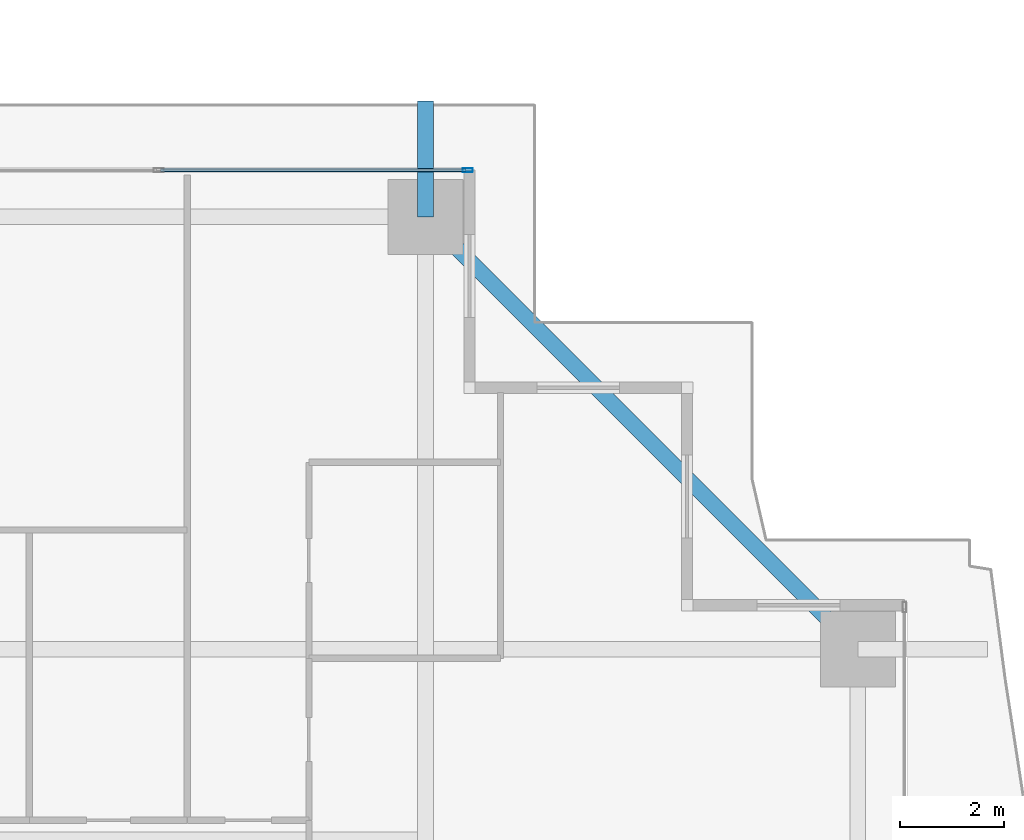
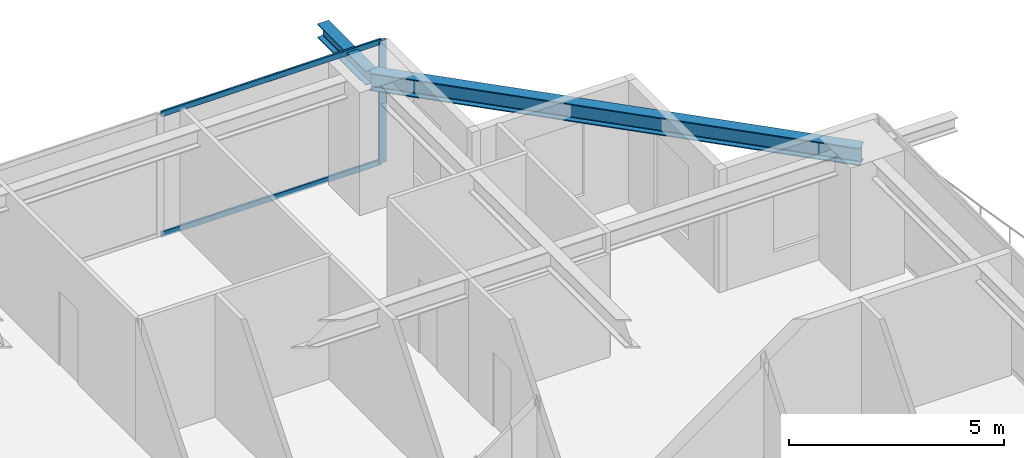
# One storey, part 25 of 39: 3 members, 2 beams, 1 element without a shape of its own.
"""IFC4 building model written with IfcOpenShell, lengths in metres."""

from ifc_helpers import new_model, si_unit, direction, frame, origin, origin_2d, place, context, subcontext, project, spatial, hollow_rectangle, i_section, extrude, source, transform, mapped, material, layer, layer_set, material_profile, profile_set, type_object, element, aggregate, save


model = new_model("IFC4")

# Units and contexts
model_context = context("Model", 3, precision=1e-05, world=origin(), true_north=direction((0.0, 1.0)))
body_context = subcontext(model_context, "Body", "Model", "MODEL_VIEW")
ifc_project = project(units=[si_unit("LENGTHUNIT", "METRE"), si_unit("AREAUNIT", "SQUARE_METRE"), si_unit("VOLUMEUNIT", "CUBIC_METRE"), si_unit("PLANEANGLEUNIT", "RADIAN"), si_unit("MASSUNIT", "GRAM", prefix="KILO")], contexts=[model_context])

# Site, building, storey
site_placement = place(None, origin())
site = spatial("IfcSite", under=ifc_project, at=site_placement, CompositionType="ELEMENT")
building_placement = place(site_placement, origin())
building = spatial("IfcBuilding", under=site, at=building_placement, Name="Serunith Strait Residences", CompositionType="ELEMENT")
storey_placement = place(building_placement, frame((0.0, 0.0, 64.199951171875)))
storey = spatial("IfcBuildingStorey", under=building, at=storey_placement, Name="L15", CompositionType="ELEMENT", Elevation=64.199951171875)

# Beams
ifc_material_1 = material(Name="Steel S355J2", Category="steel")
ifc_material_profile_1 = material_profile(ifc_material_1, i_section(OverallWidth=0.300048828125, OverallDepth=0.5, WebThickness=0.014404296875, FlangeThickness=0.028076171875, FilletRadius=0.027099609375, at=origin_2d()), Name="HEB 500")
ifc_profile_set_1 = profile_set([ifc_material_profile_1], Name="Steel S355J2")
beam_type_1 = type_object("IfcBeamType", Name="BM-HEB500", PredefinedType="BEAM", material=ifc_profile_set_1)
shared_shape_1 = source(origin(), body_context, "Body", "SweptSolid", [
    extrude(i_section(OverallWidth=0.300048828125, OverallDepth=0.5, WebThickness=0.014404296875, FlangeThickness=0.028076171875, FilletRadius=0.027099609375, at=origin_2d()), origin(), (0.0, 0.0, 1.0), 11.80859375),
])
beam_1_placement = place(storey_placement, frame((57.89990234375, 40.949951171875, 3.20703125), z_axis=(-0.707096443746, 0.707117118476, 0.0), x_axis=(-0.707117118476, -0.707096443746, 0.0)))
element("IfcBeam", 1, at=beam_1_placement, inside=storey, type_object=beam_type_1, Name="L15 Perimeter Ring Beam 08", PredefinedType="BEAM", context=body_context, shape_type="MappedRepresentation", body=[
    mapped(shared_shape_1, transform((0.0, 0.0, 0.0), scale=1.0)),
])
ifc_material_profile_2 = material_profile(ifc_material_1, i_section(OverallWidth=0.300048828125, OverallDepth=0.39990234375, WebThickness=0.013427734375, FlangeThickness=0.02392578125, FilletRadius=0.027099609375, at=origin_2d()), Name="HEB 400")
ifc_profile_set_2 = profile_set([ifc_material_profile_2], Name="Steel S355J2")
beam_type_2 = type_object("IfcBeamType", Name="BM-HEB400", PredefinedType="BEAM", material=ifc_profile_set_2)
shared_shape_2 = source(origin(), body_context, "Body", "SweptSolid", [
    extrude(i_section(OverallWidth=0.300048828125, OverallDepth=0.39990234375, WebThickness=0.013427734375, FlangeThickness=0.02392578125, FilletRadius=0.027099609375, at=origin_2d()), origin(), (0.0, 0.0, 1.0), 2.232666015625),
])
beam_2_placement = place(storey_placement, frame((49.550048828125, 49.300048828125, 3.257080078125), z_axis=(0.0, 1.0, 0.0), x_axis=(-1.0, 0.0, 0.0)))
element("IfcBeam", 2, at=beam_2_placement, inside=storey, type_object=beam_type_2, Name="L16 Cantilevered Balcony Rib TC-N4", PredefinedType="BEAM", context=body_context, shape_type="MappedRepresentation", body=[
    mapped(shared_shape_2, transform((0.0, 0.0, 0.0), scale=1.0)),
])

# Curtain wall, members
ifc_material_2 = material(Name="Pale-Champagne Anodised Aluminium", Category="aluminium")
ifc_layer = layer(ifc_material_2, 0.199951171875, Name="Pale-Champagne Anodised Aluminium")
ifc_layer_set = layer_set([ifc_layer], Name="Pale-Champagne Anodised Aluminium")
curtain_wall_type = type_object("IfcCurtainWallType", Name="CW-SYS1", PredefinedType="NOTDEFINED", material=ifc_layer_set)
curtain_wall_placement = place(storey_placement, origin())
curtain_wall = element("IfcCurtainWall", 3, at=curtain_wall_placement, inside=storey, type_object=curtain_wall_type, Name="L15 N Unitised Fritted Curtain Wall", PredefinedType="NOTDEFINED")
ifc_material_profile_3 = material_profile(ifc_material_2, hollow_rectangle(XDim=0.070068359375, YDim=0.199951171875, WallThickness=0.00390625, InnerFilletRadius=0.006103515625, OuterFilletRadius=0.010009765625, at=origin_2d()), Name="ALU 200x70x4")
ifc_profile_set_3 = profile_set([ifc_material_profile_3], Name="Pale-Champagne Anodised Aluminium")
member_type_1 = type_object("IfcMemberType", Name="CW-SYS1-MULL", PredefinedType="MULLION", material=ifc_profile_set_3)
shared_shape_3 = source(origin(), body_context, "Body", "SweptSolid", [
    extrude(hollow_rectangle(XDim=0.070068359375, YDim=0.199951171875, WallThickness=0.00390625, InnerFilletRadius=0.006103515625, OuterFilletRadius=0.010009765625, at=origin_2d()), origin(), (0.0, 0.0, 1.0), 3.47509765625),
])
member_1_placement = place(storey_placement, frame((50.364990234375, 50.199951171875, 0.0), z_axis=(0.0, 0.0, 1.0), x_axis=(0.0, -1.0, 0.0)))
member_1 = element("IfcMember", 4, at=member_1_placement, type_object=member_type_1, Name="CW-1 mullion 1", PredefinedType="MULLION", context=body_context, shape_type="MappedRepresentation", body=[
    mapped(shared_shape_3, transform((0.0, 0.0, 0.0), scale=1.0)),
])
ifc_material_profile_4 = material_profile(ifc_material_2, hollow_rectangle(XDim=0.06005859375, YDim=0.159912109375, WallThickness=0.00341796875, InnerFilletRadius=0.00537109375, OuterFilletRadius=0.0087890625, at=origin_2d()), Name="ALU 160x60x3.5")
ifc_profile_set_4 = profile_set([ifc_material_profile_4], Name="Pale-Champagne Anodised Aluminium")
member_type_2 = type_object("IfcMemberType", Name="CW-SYS1-TRAN", PredefinedType="USERDEFINED", material=ifc_profile_set_4)
shared_shape_4 = source(origin(), body_context, "Body", "SweptSolid", [
    extrude(hollow_rectangle(XDim=0.06005859375, YDim=0.159912109375, WallThickness=0.00341796875, InnerFilletRadius=0.00537109375, OuterFilletRadius=0.0087890625, at=origin_2d()), origin(), (0.0, 0.0, 1.0), 5.89501953125),
])
member_2_placement = place(storey_placement, frame((50.330078125, 50.199951171875, 0.030029296875), z_axis=(-1.0, 0.0, 0.0), x_axis=(0.0, -1.0, 0.0)))
member_2 = element("IfcMember", 5, at=member_2_placement, type_object=member_type_2, Name="CW-1 transom 1.1", ObjectType="TRANSOM", PredefinedType="USERDEFINED", context=body_context, shape_type="MappedRepresentation", body=[
    mapped(shared_shape_4, transform((0.0, 0.0, 0.0), scale=1.0)),
])
member_3_placement = place(storey_placement, frame((50.330078125, 50.199951171875, 3.445068359375), z_axis=(-1.0, 0.0, 0.0), x_axis=(0.0, -1.0, 0.0)))
member_3 = element("IfcMember", 6, at=member_3_placement, type_object=member_type_2, Name="CW-1 transom 1.2", ObjectType="TRANSOM", PredefinedType="USERDEFINED", context=body_context, shape_type="MappedRepresentation", body=[
    mapped(shared_shape_4, transform((0.0, 0.0, 0.0), scale=1.0)),
])
aggregate(curtain_wall, [member_1, member_2, member_3])

save(model, "model.ifc")
